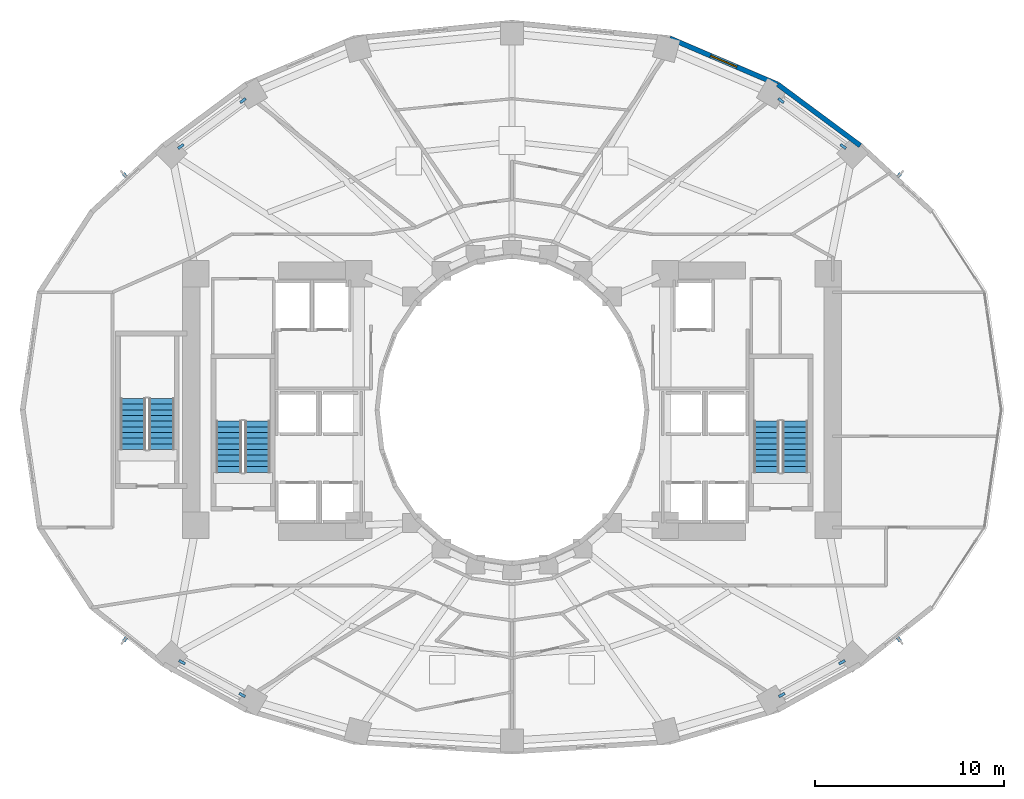
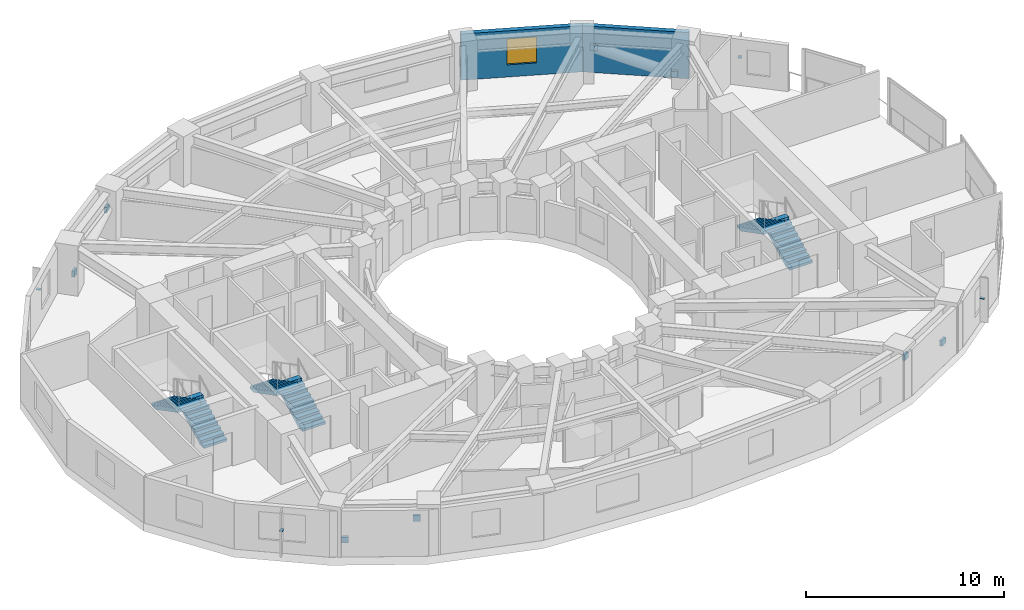
# One storey, part 11 of 14: 12 discrete accessories, 6 stair flights, 2 walls, 1 window, 1 opening, 3 elements without a shape of their own.
"""IFC4 building model written with IfcOpenShell, lengths in metres."""

from ifc_helpers import new_model, si_unit, direction, frame, frame_2d, origin, origin_2d, place, context, subcontext, project, spatial, polyline, rectangle, outline, extrude, material, layer, layer_set, type_object, element, fill, aggregate, save


model = new_model("IFC4")

# Units and contexts
model_context = context("Model", 3, precision=1e-05, world=origin(), true_north=direction((0.0, 1.0)))
body_context = subcontext(model_context, "Body", "Model", "MODEL_VIEW")
ifc_project = project(units=[si_unit("LENGTHUNIT", "METRE"), si_unit("AREAUNIT", "SQUARE_METRE"), si_unit("VOLUMEUNIT", "CUBIC_METRE"), si_unit("PLANEANGLEUNIT", "RADIAN"), si_unit("MASSUNIT", "GRAM", prefix="KILO")], contexts=[model_context])

# Site, building, storey
site_placement = place(None, origin())
site = spatial("IfcSite", under=ifc_project, at=site_placement, CompositionType="ELEMENT")
building_placement = place(site_placement, origin())
building = spatial("IfcBuilding", under=site, at=building_placement, Name="Solvane Sanctuary Tower", CompositionType="ELEMENT")
storey_placement = place(building_placement, frame((0.0, 0.0, 36.89990234375)))
storey = spatial("IfcBuildingStorey", under=building, at=storey_placement, Name="L10", CompositionType="ELEMENT", Elevation=36.89990234375)

# Wall
ifc_material_1 = material(Name="Precast concrete C40/50", Category="concrete")
ifc_layer_1 = layer(ifc_material_1, 0.260009765625, Name="Precast concrete C40/50")
ifc_layer_set_1 = layer_set([ifc_layer_1], Name="Precast concrete C40/50")
wall_type = type_object("IfcWallType", Name="Wall W-EXT-250", PredefinedType="STANDARD", material=ifc_layer_set_1)
wall_1_placement = place(storey_placement, frame((50.404541015625, 36.964599609375, 0.0), z_axis=(0.0, 0.0, 1.0), x_axis=(-0.803477531792, 0.595335078679, 0.0)))
element("IfcWall", 1, at=wall_1_placement, inside=storey, type_object=wall_type, Name="L10 Ceramic-Printed Facade Wall 03", PredefinedType="STANDARD", context=body_context, shape_type="SweptSolid", body=[
    extrude(rectangle(XDim=5.4296875, YDim=0.260009765625, at=frame_2d((2.71484375, 0.0))), origin(), (0.0, 0.0, 1.0), 2.85009765625),
])

# Wall, opening, window
wall_2_placement = place(storey_placement, frame((46.0419921875, 40.197021484375, 0.0), z_axis=(0.0, 0.0, 1.0), x_axis=(-0.919612132394, 0.39282760335, 0.0)))
wall_2 = element("IfcWall", 2, at=wall_2_placement, inside=storey, type_object=wall_type, Name="L10 Ceramic-Printed Facade Wall 04", PredefinedType="STANDARD", context=body_context, shape_type="SweptSolid", body=[
    extrude(rectangle(XDim=6.20947265625, YDim=0.260009765625, at=frame_2d((3.104736328125, 0.0))), origin(), (0.0, 0.0, 1.0), 2.85009765625),
])
opening_placement = place(wall_2_placement, frame((2.354736328125, 0.0, 0.75)))
opening = element("IfcOpeningElement", 3, at=opening_placement, cuts=wall_2, Name="Opening WN-OPER-1500", PredefinedType="OPENING", context=body_context, shape_type="SweptSolid", body=[
    extrude(rectangle(XDim=1.5, YDim=1.60009765625, at=frame_2d((0.75, 0.800048828125))), frame((0.0, 0.139892578125, 0.0), z_axis=(0.0, -1.0, 0.0), x_axis=(1.0, 0.0, 0.0)), (0.0, 0.0, 1.0), 0.280029296875),
])
ifc_material_2 = material(Name="Dark Ceramic-Fritted Low-E Glass", Category="glass")
window_type = type_object("IfcWindowType", Name="Window WN-OPER-1500", PartitioningType="SINGLE_PANEL", PredefinedType="WINDOW", material=ifc_material_2)
window_placement = place(opening_placement, origin())
window = element("IfcWindow", 4, at=window_placement, inside=storey, type_object=window_type, Name="L10 Operable Facade Window 04", OverallHeight=1.60009765625, OverallWidth=1.5, PartitioningType="SINGLE_PANEL", PredefinedType="WINDOW", context=body_context, shape_type="SweptSolid", body=[
    extrude(rectangle(XDim=1.5, YDim=1.60009765625, at=frame_2d((0.75, 0.800048828125))), frame((0.0, 0.030029296875, 0.0), z_axis=(0.0, -1.0, 0.0), x_axis=(1.0, 0.0, 0.0)), (0.0, 0.0, 1.0), 0.06005859375),
])
fill(opening, window)

# Stair, stair flights
ifc_material_3 = material(Name="Concrete C45/55", Category="concrete")
stair_type = type_object("IfcStairType", Name="Stair ST-TOW", PredefinedType="HALF_TURN_STAIR", material=ifc_material_3)
stair_1_placement = place(storey_placement, origin())
stair_1 = element("IfcStair", 5, at=stair_1_placement, inside=storey, type_object=stair_type, Name="L10 Exit Stair ST-1 West Core", PredefinedType="HALF_TURN_STAIR")
stair_flight_type = type_object("IfcStairFlightType", Name="StairFlight SF-TOW", PredefinedType="STRAIGHT", material=ifc_material_3)
stair_flight_1_placement = place(storey_placement, frame((18.544921875, 19.699951171875, 0.0), z_axis=(0.0, 0.0, 1.0), x_axis=(0.0, 1.0, 0.0)))
stair_flight_1 = element("IfcStairFlight", 6, at=stair_flight_1_placement, type_object=stair_flight_type, Name="ST-1 flight 1", NumberOfRisers=10, NumberOfTreads=9, PredefinedType="STRAIGHT", RiserHeight=0.155, TreadLength=0.3, context=body_context, shape_type="SweptSolid", body=[
    extrude(outline(polyline([(0.0, 0.0), (0.0, 0.155029296875), (0.300048828125, 0.155029296875), (0.300048828125, 0.31005859375), (0.60009765625, 0.31005859375), (0.60009765625, 0.465087890625), (0.89990234375, 0.465087890625), (0.89990234375, 0.6201171875), (1.199951171875, 0.6201171875), (1.199951171875, 0.77490234375), (1.5, 0.77490234375), (1.5, 0.929931640625), (1.800048828125, 0.929931640625), (1.800048828125, 1.0849609375), (2.10009765625, 1.0849609375), (2.10009765625, 1.239990234375), (2.39990234375, 1.239990234375), (2.39990234375, 1.39501953125), (2.699951171875, 1.39501953125), (2.699951171875, 1.550048828125), (2.699951171875, 1.1923828125), (0.39208984375, 0.0), (0.0, 0.0)])), frame((0.0, 0.675048828125, 0.0), z_axis=(0.0, -1.0, 0.0), x_axis=(1.0, 0.0, 0.0)), (0.0, 0.0, 1.0), 1.35009765625),
])
stair_flight_2_placement = place(storey_placement, frame((17.034912109375, 22.39990234375, 1.550048828125), z_axis=(0.0, 0.0, 1.0), x_axis=(0.0, -1.0, 0.0)))
stair_flight_2 = element("IfcStairFlight", 7, at=stair_flight_2_placement, type_object=stair_flight_type, Name="ST-1 flight 2", NumberOfRisers=10, NumberOfTreads=9, PredefinedType="STRAIGHT", RiserHeight=0.155, TreadLength=0.3, context=body_context, shape_type="SweptSolid", body=[
    extrude(outline(polyline([(0.0, 0.0), (0.0, 0.155029296875), (0.300048828125, 0.155029296875), (0.300048828125, 0.31005859375), (0.60009765625, 0.31005859375), (0.60009765625, 0.465087890625), (0.89990234375, 0.465087890625), (0.89990234375, 0.6201171875), (1.199951171875, 0.6201171875), (1.199951171875, 0.77490234375), (1.5, 0.77490234375), (1.5, 0.929931640625), (1.800048828125, 0.929931640625), (1.800048828125, 1.0849609375), (2.10009765625, 1.0849609375), (2.10009765625, 1.239990234375), (2.39990234375, 1.239990234375), (2.39990234375, 1.39501953125), (2.699951171875, 1.39501953125), (2.699951171875, 1.550048828125), (2.699951171875, 1.1923828125), (0.39208984375, 0.0), (0.0, 0.0)])), frame((0.0, 0.675048828125, 0.0), z_axis=(0.0, -1.0, 0.0), x_axis=(1.0, 0.0, 0.0)), (0.0, 0.0, 1.0), 1.35009765625),
])
aggregate(stair_1, [stair_flight_1, stair_flight_2])

stair_2_placement = place(storey_placement, origin())
stair_2 = element("IfcStair", 8, at=stair_2_placement, inside=storey, type_object=stair_type, Name="L10 Exit Stair ST-2 East Core", PredefinedType="HALF_TURN_STAIR")
stair_flight_3_placement = place(storey_placement, frame((46.965087890625, 19.699951171875, 0.0), z_axis=(0.0, 0.0, 1.0), x_axis=(0.0, 1.0, 0.0)))
stair_flight_3 = element("IfcStairFlight", 9, at=stair_flight_3_placement, type_object=stair_flight_type, Name="ST-2 flight 1", NumberOfRisers=10, NumberOfTreads=9, PredefinedType="STRAIGHT", RiserHeight=0.155, TreadLength=0.3, context=body_context, shape_type="SweptSolid", body=[
    extrude(outline(polyline([(0.0, 0.0), (0.0, 0.155029296875), (0.300048828125, 0.155029296875), (0.300048828125, 0.31005859375), (0.60009765625, 0.31005859375), (0.60009765625, 0.465087890625), (0.89990234375, 0.465087890625), (0.89990234375, 0.6201171875), (1.199951171875, 0.6201171875), (1.199951171875, 0.77490234375), (1.5, 0.77490234375), (1.5, 0.929931640625), (1.800048828125, 0.929931640625), (1.800048828125, 1.0849609375), (2.10009765625, 1.0849609375), (2.10009765625, 1.239990234375), (2.39990234375, 1.239990234375), (2.39990234375, 1.39501953125), (2.699951171875, 1.39501953125), (2.699951171875, 1.550048828125), (2.699951171875, 1.1923828125), (0.39208984375, 0.0), (0.0, 0.0)])), frame((0.0, 0.675048828125, 0.0), z_axis=(0.0, -1.0, 0.0), x_axis=(1.0, 0.0, 0.0)), (0.0, 0.0, 1.0), 1.35009765625),
])
stair_flight_4_placement = place(storey_placement, frame((45.455078125, 22.39990234375, 1.550048828125), z_axis=(0.0, 0.0, 1.0), x_axis=(0.0, -1.0, 0.0)))
stair_flight_4 = element("IfcStairFlight", 10, at=stair_flight_4_placement, type_object=stair_flight_type, Name="ST-2 flight 2", NumberOfRisers=10, NumberOfTreads=9, PredefinedType="STRAIGHT", RiserHeight=0.155, TreadLength=0.3, context=body_context, shape_type="SweptSolid", body=[
    extrude(outline(polyline([(0.0, 0.0), (0.0, 0.155029296875), (0.300048828125, 0.155029296875), (0.300048828125, 0.31005859375), (0.60009765625, 0.31005859375), (0.60009765625, 0.465087890625), (0.89990234375, 0.465087890625), (0.89990234375, 0.6201171875), (1.199951171875, 0.6201171875), (1.199951171875, 0.77490234375), (1.5, 0.77490234375), (1.5, 0.929931640625), (1.800048828125, 0.929931640625), (1.800048828125, 1.0849609375), (2.10009765625, 1.0849609375), (2.10009765625, 1.239990234375), (2.39990234375, 1.239990234375), (2.39990234375, 1.39501953125), (2.699951171875, 1.39501953125), (2.699951171875, 1.550048828125), (2.699951171875, 1.1923828125), (0.39208984375, 0.0), (0.0, 0.0)])), frame((0.0, 0.675048828125, 0.0), z_axis=(0.0, -1.0, 0.0), x_axis=(1.0, 0.0, 0.0)), (0.0, 0.0, 1.0), 1.35009765625),
])
aggregate(stair_2, [stair_flight_3, stair_flight_4])

stair_3_placement = place(storey_placement, origin())
stair_3 = element("IfcStair", 11, at=stair_3_placement, inside=storey, type_object=stair_type, Name="L10 Exit Stair ST-3 Pilgrim Tower Stair", PredefinedType="HALF_TURN_STAIR")
stair_flight_5_placement = place(storey_placement, frame((13.485107421875, 20.89990234375, 0.0), z_axis=(0.0, 0.0, 1.0), x_axis=(0.0, 1.0, 0.0)))
stair_flight_5 = element("IfcStairFlight", 12, at=stair_flight_5_placement, type_object=stair_flight_type, Name="ST-3 flight 1", NumberOfRisers=10, NumberOfTreads=9, PredefinedType="STRAIGHT", RiserHeight=0.155, TreadLength=0.3, context=body_context, shape_type="SweptSolid", body=[
    extrude(outline(polyline([(0.0, 0.0), (0.0, 0.155029296875), (0.300048828125, 0.155029296875), (0.300048828125, 0.31005859375), (0.60009765625, 0.31005859375), (0.60009765625, 0.465087890625), (0.89990234375, 0.465087890625), (0.89990234375, 0.6201171875), (1.199951171875, 0.6201171875), (1.199951171875, 0.77490234375), (1.5, 0.77490234375), (1.5, 0.929931640625), (1.800048828125, 0.929931640625), (1.800048828125, 1.0849609375), (2.10009765625, 1.0849609375), (2.10009765625, 1.239990234375), (2.39990234375, 1.239990234375), (2.39990234375, 1.39501953125), (2.699951171875, 1.39501953125), (2.699951171875, 1.550048828125), (2.699951171875, 1.1923828125), (0.39208984375, 0.0), (0.0, 0.0)])), frame((0.0, 0.675048828125, 0.0), z_axis=(0.0, -1.0, 0.0), x_axis=(1.0, 0.0, 0.0)), (0.0, 0.0, 1.0), 1.35009765625),
])
stair_flight_6_placement = place(storey_placement, frame((11.97509765625, 23.60009765625, 1.550048828125), z_axis=(0.0, 0.0, 1.0), x_axis=(0.0, -1.0, 0.0)))
stair_flight_6 = element("IfcStairFlight", 13, at=stair_flight_6_placement, type_object=stair_flight_type, Name="ST-3 flight 2", NumberOfRisers=10, NumberOfTreads=9, PredefinedType="STRAIGHT", RiserHeight=0.155, TreadLength=0.3, context=body_context, shape_type="SweptSolid", body=[
    extrude(outline(polyline([(0.0, 0.0), (0.0, 0.155029296875), (0.300048828125, 0.155029296875), (0.300048828125, 0.31005859375), (0.60009765625, 0.31005859375), (0.60009765625, 0.465087890625), (0.89990234375, 0.465087890625), (0.89990234375, 0.6201171875), (1.199951171875, 0.6201171875), (1.199951171875, 0.77490234375), (1.5, 0.77490234375), (1.5, 0.929931640625), (1.800048828125, 0.929931640625), (1.800048828125, 1.0849609375), (2.10009765625, 1.0849609375), (2.10009765625, 1.239990234375), (2.39990234375, 1.239990234375), (2.39990234375, 1.39501953125), (2.699951171875, 1.39501953125), (2.699951171875, 1.550048828125), (2.699951171875, 1.1923828125), (0.39208984375, 0.0), (0.0, 0.0)])), frame((0.0, 0.675048828125, 0.0), z_axis=(0.0, -1.0, 0.0), x_axis=(1.0, 0.0, 0.0)), (0.0, 0.0, 1.0), 1.35009765625),
])
aggregate(stair_3, [stair_flight_5, stair_flight_6])

# Discrete accessories
ifc_material_4 = material(Name="Steel ASTM A572 Grade 50", Category="steel")
ifc_layer_2 = layer(ifc_material_4, 0.360107421875, Name="Steel ASTM A572 Grade 50")
ifc_layer_set_2 = layer_set([ifc_layer_2], Name="Steel ASTM A572 Grade 50")
discrete_accessory_type_1 = type_object("IfcDiscreteAccessoryType", Name="Accessory ACC-GUSSET-BRK", PredefinedType="BRACKET", material=ifc_layer_set_2)
for number, where, z_axis, x_axis, name in (
    (14, (49.499755859375, 36.9169921875, 0.3984375), (0.0, 0.0, 1.0), (-0.804271929332, 0.594261443885, 0.0), "L10 Perimeter Braced-Tube Diagonal NE End Gusset Bracket A"),
    (15, (46.216796875, 39.34228515625, 1.7216796875), (0.0, 0.0, 1.0), (-0.804271929332, 0.594261443885, 0.0), "L10 Perimeter Braced-Tube Diagonal NE End Gusset Bracket B"),
    (16, (14.500244140625, 36.9169921875, 0.3984375), (0.0, 0.0, 1.0), (0.804271929332, 0.594261443885, 0.0), "L10 Perimeter Braced-Tube Diagonal NW End Gusset Bracket A"),
    (17, (17.783203125, 39.34228515625, 1.7216796875), (0.0, 0.0, 1.0), (0.804271929332, 0.594261443885, 0.0), "L10 Perimeter Braced-Tube Diagonal NW End Gusset Bracket B"),
    (18, (14.561767578125, 9.6630859375, 0.4228515625), (0.0, 0.0, 1.0), (0.878066509545, -0.478538613714, 0.0), "L10 Perimeter Braced-Tube Diagonal SW End Gusset Bracket A"),
    (19, (17.74169921875, 7.929931640625, 1.705078125), (0.0, 0.0, 1.0), (0.878066509545, -0.478538613714, 0.0), "L10 Perimeter Braced-Tube Diagonal SW End Gusset Bracket B"),
    (20, (49.438232421875, 9.6630859375, 0.4228515625), (0.0, 0.0, 1.0), (-0.878066509545, -0.478538613714, 0.0), "L10 Perimeter Braced-Tube Diagonal SE End Gusset Bracket A"),
    (21, (46.25830078125, 7.929931640625, 1.705078125), (0.0, 0.0, 1.0), (-0.878066509545, -0.478538613714, 0.0), "L10 Perimeter Braced-Tube Diagonal SE End Gusset Bracket B"),
):
    element("IfcDiscreteAccessory", number, at=place(storey_placement, frame(where, z_axis=z_axis, x_axis=x_axis)), inside=storey, type_object=discrete_accessory_type_1, Name=name, PredefinedType="BRACKET", context=body_context, shape_type="SweptSolid", body=[
        extrude(rectangle(XDim=0.360107421875, YDim=0.139892578125, at=origin_2d()), origin(), (0.0, 0.0, 1.0), 0.360107421875),
    ])
ifc_material_5 = material(Name="Steel ASTM A500 Grade C", Category="steel")
ifc_layer_3 = layer(ifc_material_5, 0.02490234375, Name="Steel ASTM A500 Grade C")
ifc_layer_set_3 = layer_set([ifc_layer_3], Name="Steel ASTM A500 Grade C")
discrete_accessory_type_2 = type_object("IfcDiscreteAccessoryType", Name="Accessory BRK-FACADE", PredefinedType="BRACKET", material=ifc_layer_set_3)
for number, where, z_axis, x_axis, name in (
    (22, (52.461669921875, 35.396728515625, 1.487548828125), (0.0, 0.0, 1.0), (-0.735656279624, 0.677355031168, 0.0), "L10 Solar Fin Bracket 02"),
    (23, (11.538330078125, 35.396728515625, 1.487548828125), (0.0, 0.0, 1.0), (-0.735656279624, -0.677355031168, 0.0), "L10 Solar Fin Bracket 09"),
    (24, (11.551513671875, 10.86669921875, 1.487548828125), (0.0, 0.0, 1.0), (0.783135910849, -0.62185058104, 0.0), "L10 Solar Fin Bracket 14"),
    (25, (52.448486328125, 10.86669921875, 1.487548828125), (0.0, 0.0, 1.0), (0.783135910849, 0.62185058104, 0.0), "L10 Solar Fin Bracket 21"),
):
    element("IfcDiscreteAccessory", number, at=place(storey_placement, frame(where, z_axis=z_axis, x_axis=x_axis)), inside=storey, type_object=discrete_accessory_type_2, Name=name, PredefinedType="BRACKET", context=body_context, shape_type="SweptSolid", body=[
        extrude(rectangle(XDim=0.179931640625, YDim=0.239990234375, at=origin_2d()), origin(), (0.0, 0.0, 1.0), 0.02490234375),
    ])

save(model, "model.ifc")
